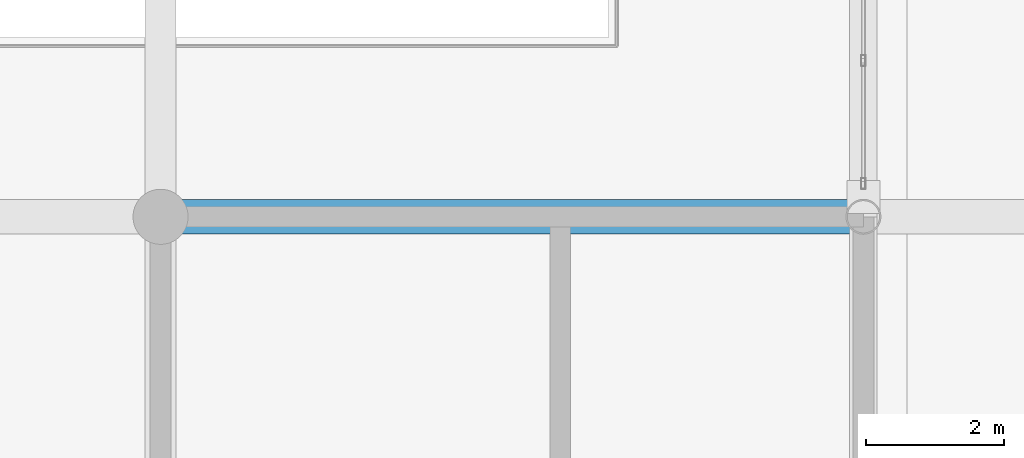
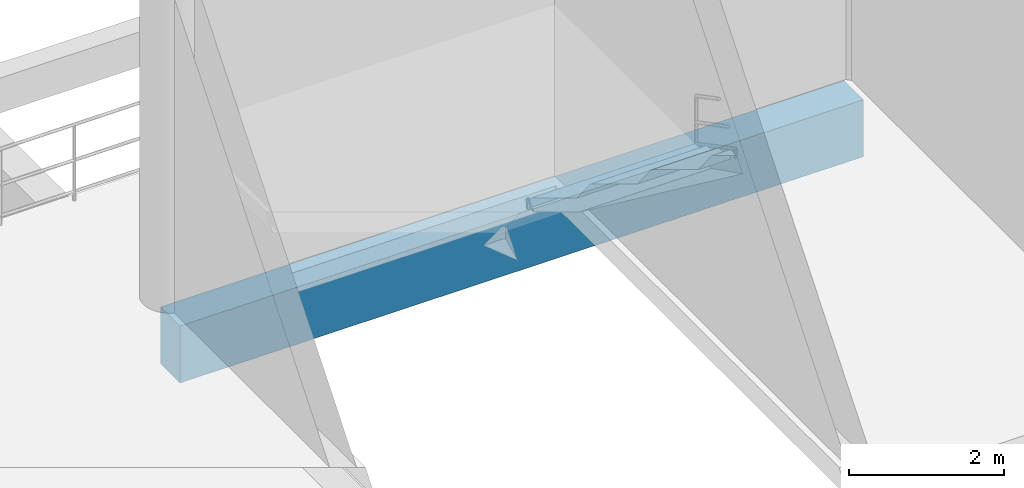
# One storey, part 53 of 175: 1 beam.
"""IFC4 building model written with IfcOpenShell, lengths in metres."""

from ifc_helpers import new_model, si_unit, direction, frame, origin, origin_2d, place, context, subcontext, project, spatial, rectangle, extrude, material, material_profile, profile_set, type_object, element, save


model = new_model("IFC4")

# Units and contexts
model_context = context("Model", 3, precision=1e-05, world=origin(), true_north=direction((0.0, 1.0)))
body_context = subcontext(model_context, "Body", "Model", "MODEL_VIEW")
ifc_project = project(units=[si_unit("LENGTHUNIT", "METRE"), si_unit("AREAUNIT", "SQUARE_METRE"), si_unit("VOLUMEUNIT", "CUBIC_METRE"), si_unit("PLANEANGLEUNIT", "RADIAN"), si_unit("MASSUNIT", "GRAM", prefix="KILO")], contexts=[model_context])

# Site, building, storey
site_placement = place(None, origin())
site = spatial("IfcSite", under=ifc_project, at=site_placement, CompositionType="ELEMENT")
building_placement = place(site_placement, origin())
building = spatial("IfcBuilding", under=site, at=building_placement, Name="Brelvane Convention Centre", CompositionType="ELEMENT")
storey_placement = place(building_placement, frame((0.0, 0.0, 5.39990234375)))
storey = spatial("IfcBuildingStorey", under=building, at=storey_placement, Name="L01", CompositionType="ELEMENT", Elevation=5.39990234375)

# Beam
ifc_material = material(Name="Concrete M40", Category="concrete")
ifc_material_profile = material_profile(ifc_material, rectangle(XDim=0.5, YDim=0.89990234375, at=origin_2d()), Name="RC 500x900")
ifc_profile_set = profile_set([ifc_material_profile], Name="Concrete M40")
beam_type = type_object("IfcBeamType", Name="RC Beam B-RC4 (RC 500x900)", PredefinedType="BEAM", material=ifc_profile_set)
beam_placement = place(storey_placement, frame((153.0, 52.39990234375, -0.77978515625), z_axis=(1.0, 0.0, 0.0), x_axis=(0.0, 1.0, 0.0)))
element("IfcBeam", 1, at=beam_placement, inside=storey, type_object=beam_type, Name="L01 Beam 16-17/F", PredefinedType="BEAM", context=body_context, shape_type="SweptSolid", body=[
    extrude(rectangle(XDim=0.5, YDim=0.89990234375, at=origin_2d()), origin(), (0.0, 0.0, 1.0), 10.199951171875),
])

save(model, "model.ifc")
